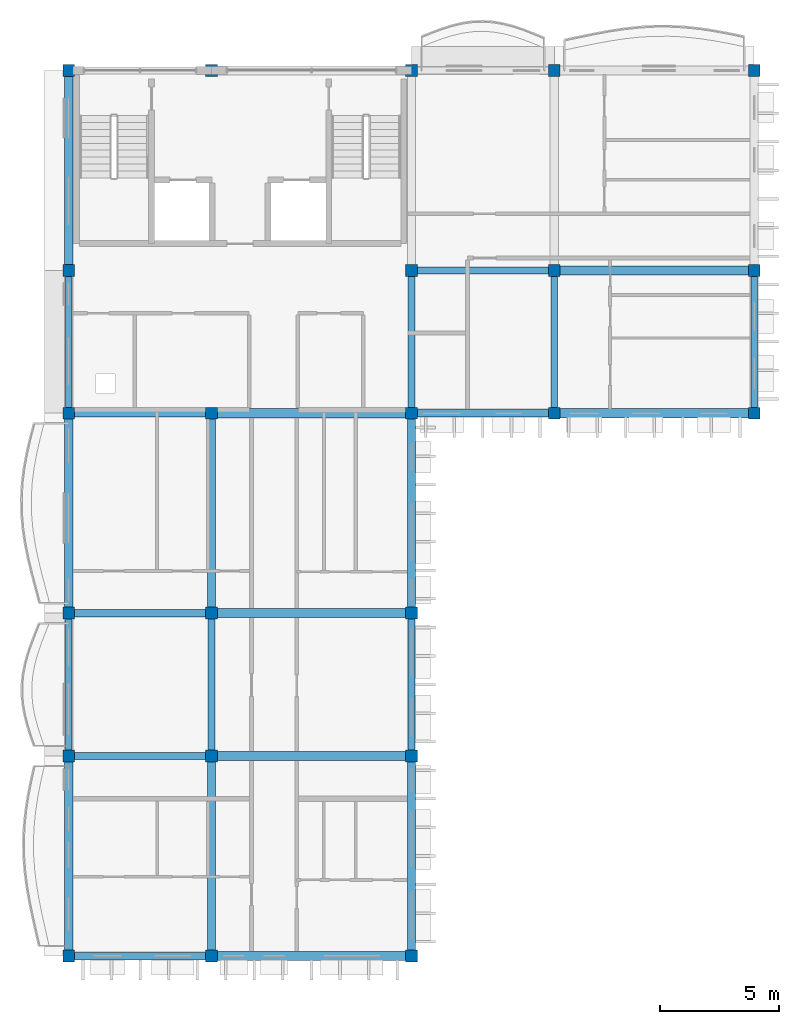
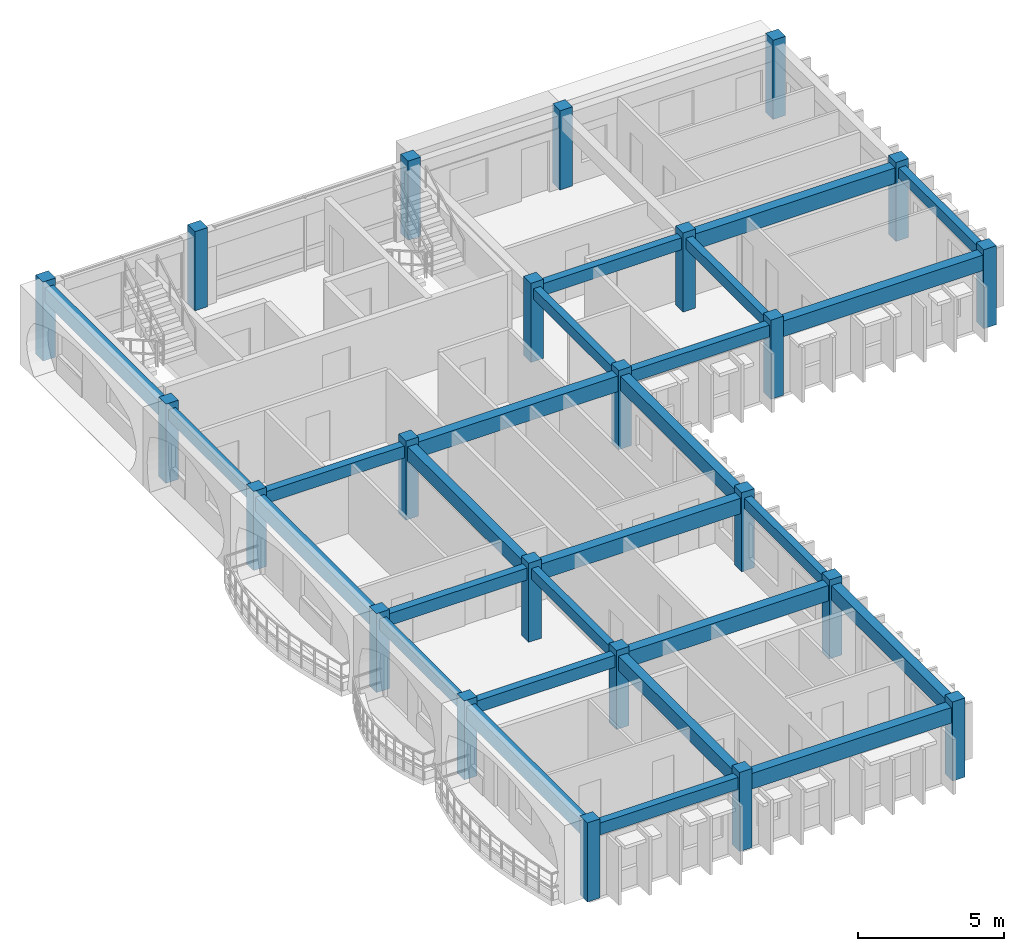
# One storey, part 1 of 11: 26 beams, 23 columns.
"""IFC4 building model written with IfcOpenShell, lengths in metres."""

from ifc_helpers import new_model, si_unit, direction, frame, origin, origin_2d, place, context, subcontext, project, spatial, rectangle, extrude, material, material_profile, profile_set, type_object, element, save


model = new_model("IFC4")

# Units and contexts
model_context = context("Model", 3, precision=1e-05, world=origin(), true_north=direction((0.0, 1.0)))
body_context = subcontext(model_context, "Body", "Model", "MODEL_VIEW")
ifc_project = project(units=[si_unit("LENGTHUNIT", "METRE"), si_unit("AREAUNIT", "SQUARE_METRE"), si_unit("VOLUMEUNIT", "CUBIC_METRE"), si_unit("PLANEANGLEUNIT", "RADIAN"), si_unit("MASSUNIT", "GRAM", prefix="KILO"), si_unit("THERMODYNAMICTEMPERATUREUNIT", "KELVIN")], contexts=[model_context])

# Site, building, storey
site_placement = place(None, origin())
site = spatial("IfcSite", under=ifc_project, at=site_placement, CompositionType="ELEMENT")
building_placement = place(site_placement, origin())
building = spatial("IfcBuilding", under=site, at=building_placement, Name="Thalorik Housing Commons", CompositionType="ELEMENT")
storey_placement = place(building_placement, frame((0.0, 0.0, 47.699951171875)))
storey = spatial("IfcBuildingStorey", under=building, at=storey_placement, Name="L14", CompositionType="ELEMENT", Elevation=47.699951171875)

# Columns
ifc_material = material(Name="Precast concrete C40/50", Category="concrete")
ifc_material_profile_1 = material_profile(ifc_material, rectangle(XDim=0.5, YDim=0.5, at=origin_2d()), Name="PC 500x500", Category="concrete")
ifc_profile_set_1 = profile_set([ifc_material_profile_1], Name="Precast concrete C40/50")
column_type = type_object("IfcColumnType", Name="STR-COL-PC500", PredefinedType="COLUMN", material=ifc_profile_set_1)
for number, where, z_axis, x_axis, name in (
    (1, (8.39990234375, 86.39990234375, 0.0), (0.0, 0.0, 1.0), (1.0, 0.0, 0.0), "L14 Column C-500"),
    (2, (8.39990234375, 94.800048828125, 0.0), (0.0, 0.0, 1.0), (1.0, 0.0, 0.0), "L14 Column C-500"),
    (3, (8.39990234375, 100.800048828125, 0.0), (0.0, 0.0, 1.0), (1.0, 0.0, 0.0), "L14 Column C-500"),
    (4, (8.39990234375, 109.199951171875, 0.0), (0.0, 0.0, 1.0), (1.0, 0.0, 0.0), "L14 Column C-500"),
    (5, (8.39990234375, 115.199951171875, 0.0), (0.0, 0.0, 1.0), (1.0, 0.0, 0.0), "L14 Column C-500"),
    (6, (8.39990234375, 123.60009765625, 0.0), (0.0, 0.0, 1.0), (1.0, 0.0, 0.0), "L14 Column C-500"),
    (7, (14.39990234375, 86.39990234375, 0.0), (0.0, 0.0, 1.0), (1.0, 0.0, 0.0), "L14 Column C-500"),
    (8, (14.39990234375, 94.800048828125, 0.0), (0.0, 0.0, 1.0), (1.0, 0.0, 0.0), "L14 Column C-500"),
    (9, (14.39990234375, 100.800048828125, 0.0), (0.0, 0.0, 1.0), (1.0, 0.0, 0.0), "L14 Column C-500"),
    (10, (14.39990234375, 109.199951171875, 0.0), (0.0, 0.0, 1.0), (1.0, 0.0, 0.0), "L14 Column C-500"),
    (11, (14.39990234375, 123.60009765625, 0.0), (0.0, 0.0, 1.0), (1.0, 0.0, 0.0), "L14 Column C-500"),
    (12, (22.800048828125, 86.39990234375, 0.0), (0.0, 0.0, 1.0), (1.0, 0.0, 0.0), "L14 Column C-500"),
    (13, (22.800048828125, 94.800048828125, 0.0), (0.0, 0.0, 1.0), (1.0, 0.0, 0.0), "L14 Column C-500"),
    (14, (22.800048828125, 100.800048828125, 0.0), (0.0, 0.0, 1.0), (1.0, 0.0, 0.0), "L14 Column C-500"),
    (15, (22.800048828125, 109.199951171875, 0.0), (0.0, 0.0, 1.0), (1.0, 0.0, 0.0), "L14 Column C-500"),
    (16, (22.800048828125, 115.199951171875, 0.0), (0.0, 0.0, 1.0), (1.0, 0.0, 0.0), "L14 Column C-500"),
    (17, (22.800048828125, 123.60009765625, 0.0), (0.0, 0.0, 1.0), (1.0, 0.0, 0.0), "L14 Column C-500"),
    (18, (28.800048828125, 109.199951171875, 0.0), (0.0, 0.0, 1.0), (1.0, 0.0, 0.0), "L14 Column C-500"),
    (19, (28.800048828125, 115.199951171875, 0.0), (0.0, 0.0, 1.0), (1.0, 0.0, 0.0), "L14 Column C-500"),
    (20, (28.800048828125, 123.60009765625, 0.0), (0.0, 0.0, 1.0), (1.0, 0.0, 0.0), "L14 Column C-500"),
    (21, (37.199951171875, 109.199951171875, 0.0), (0.0, 0.0, 1.0), (1.0, 0.0, 0.0), "L14 Column C-500"),
    (22, (37.199951171875, 115.199951171875, 0.0), (0.0, 0.0, 1.0), (1.0, 0.0, 0.0), "L14 Column C-500"),
    (23, (37.199951171875, 123.60009765625, 0.0), (0.0, 0.0, 1.0), (1.0, 0.0, 0.0), "L14 Column C-500"),
):
    element("IfcColumn", number, at=place(storey_placement, frame(where, z_axis=z_axis, x_axis=x_axis)), inside=storey, type_object=column_type, Name=name, PredefinedType="COLUMN", context=body_context, shape_type="SweptSolid", body=[
        extrude(rectangle(XDim=0.5, YDim=0.5, at=origin_2d()), origin(), (0.0, 0.0, 1.0), 3.300048828125),
    ])

# Beams
ifc_material_profile_2 = material_profile(ifc_material, rectangle(XDim=0.280029296875, YDim=0.449951171875, at=origin_2d()), Name="PC 280x450", Category="concrete")
ifc_profile_set_2 = profile_set([ifc_material_profile_2], Name="Precast concrete C40/50")
beam_type_1 = type_object("IfcBeamType", Name="STR-BM-PC280x450", PredefinedType="BEAM", material=ifc_profile_set_2)
for number, where, z_axis, x_axis, name in (
    (24, (8.39990234375, 95.0, 2.81494140625), (0.0, 1.0, 0.0), (-1.0, 0.0, 0.0), "L14 Beam B-450"),
    (25, (8.39990234375, 109.39990234375, 2.81494140625), (0.0, 1.0, 0.0), (-1.0, 0.0, 0.0), "L14 Beam B-450"),
    (26, (14.39990234375, 95.0, 2.81494140625), (0.0, 1.0, 0.0), (-1.0, 0.0, 0.0), "L14 Beam B-450"),
    (27, (22.800048828125, 95.0, 2.81494140625), (0.0, 1.0, 0.0), (-1.0, 0.0, 0.0), "L14 Beam B-450"),
    (28, (22.800048828125, 109.39990234375, 2.81494140625), (0.0, 1.0, 0.0), (-1.0, 0.0, 0.0), "L14 Beam B-450"),
    (29, (28.800048828125, 109.39990234375, 2.81494140625), (0.0, 1.0, 0.0), (-1.0, 0.0, 0.0), "L14 Beam B-450"),
    (30, (37.199951171875, 109.39990234375, 2.81494140625), (0.0, 1.0, 0.0), (-1.0, 0.0, 0.0), "L14 Beam B-450"),
):
    element("IfcBeam", number, at=place(storey_placement, frame(where, z_axis=z_axis, x_axis=x_axis)), inside=storey, type_object=beam_type_1, Name=name, PredefinedType="BEAM", context=body_context, shape_type="SweptSolid", body=[
        extrude(rectangle(XDim=0.280029296875, YDim=0.449951171875, at=origin_2d()), origin(), (0.0, 0.0, 1.0), 5.60009765625),
    ])
ifc_material_profile_3 = material_profile(ifc_material, rectangle(XDim=0.300048828125, YDim=0.5, at=origin_2d()), Name="PC 300x500", Category="concrete")
ifc_profile_set_3 = profile_set([ifc_material_profile_3], Name="Precast concrete C40/50")
beam_type_2 = type_object("IfcBeamType", Name="STR-BM-PC300x500", PredefinedType="BEAM", material=ifc_profile_set_3)
for number, where, z_axis, x_axis, name in (
    (31, (8.60009765625, 86.39990234375, 2.7900390625), (1.0, 0.0, 0.0), (0.0, 1.0, 0.0), "L14 Beam B-500"),
    (32, (8.60009765625, 94.800048828125, 2.7900390625), (1.0, 0.0, 0.0), (0.0, 1.0, 0.0), "L14 Beam B-500"),
    (33, (8.60009765625, 100.800048828125, 2.7900390625), (1.0, 0.0, 0.0), (0.0, 1.0, 0.0), "L14 Beam B-500"),
    (34, (8.60009765625, 109.199951171875, 2.7900390625), (1.0, 0.0, 0.0), (0.0, 1.0, 0.0), "L14 Beam B-500"),
):
    element("IfcBeam", number, at=place(storey_placement, frame(where, z_axis=z_axis, x_axis=x_axis)), inside=storey, type_object=beam_type_2, Name=name, PredefinedType="BEAM", context=body_context, shape_type="SweptSolid", body=[
        extrude(rectangle(XDim=0.300048828125, YDim=0.5, at=origin_2d()), origin(), (0.0, 0.0, 1.0), 5.599853515625),
    ])
for number, where, z_axis, x_axis, name in (
    (35, (23.0, 109.199951171875, 2.7900390625), (1.0, 0.0, 0.0), (0.0, 1.0, 0.0), "L14 Beam B-500"),
    (36, (23.0, 115.199951171875, 2.7900390625), (1.0, 0.0, 0.0), (0.0, 1.0, 0.0), "L14 Beam B-500"),
):
    element("IfcBeam", number, at=place(storey_placement, frame(where, z_axis=z_axis, x_axis=x_axis)), inside=storey, type_object=beam_type_2, Name=name, PredefinedType="BEAM", context=body_context, shape_type="SweptSolid", body=[
        extrude(rectangle(XDim=0.300048828125, YDim=0.5, at=origin_2d()), origin(), (0.0, 0.0, 1.0), 5.60009765625),
    ])
ifc_material_profile_4 = material_profile(ifc_material, rectangle(XDim=0.35009765625, YDim=0.60009765625, at=origin_2d()), Name="PC 350x600", Category="concrete")
ifc_profile_set_4 = profile_set([ifc_material_profile_4], Name="Precast concrete C40/50")
beam_type_3 = type_object("IfcBeamType", Name="STR-BM-PC350x600", PredefinedType="BEAM", material=ifc_profile_set_4)
for number, where, z_axis, x_axis, name in (
    (37, (8.39990234375, 86.60009765625, 2.739990234375), (0.0, 1.0, 0.0), (-1.0, 0.0, 0.0), "L14 Beam B-600"),
    (38, (8.39990234375, 101.0, 2.739990234375), (0.0, 1.0, 0.0), (-1.0, 0.0, 0.0), "L14 Beam B-600"),
    (39, (8.39990234375, 115.39990234375, 2.739990234375), (0.0, 1.0, 0.0), (-1.0, 0.0, 0.0), "L14 Beam B-600"),
    (40, (14.39990234375, 86.60009765625, 2.739990234375), (0.0, 1.0, 0.0), (-1.0, 0.0, 0.0), "L14 Beam B-600"),
    (41, (14.39990234375, 101.0, 2.739990234375), (0.0, 1.0, 0.0), (-1.0, 0.0, 0.0), "L14 Beam B-600"),
    (42, (22.800048828125, 86.60009765625, 2.739990234375), (0.0, 1.0, 0.0), (-1.0, 0.0, 0.0), "L14 Beam B-600"),
    (43, (22.800048828125, 101.0, 2.739990234375), (0.0, 1.0, 0.0), (-1.0, 0.0, 0.0), "L14 Beam B-600"),
):
    element("IfcBeam", number, at=place(storey_placement, frame(where, z_axis=z_axis, x_axis=x_axis)), inside=storey, type_object=beam_type_3, Name=name, PredefinedType="BEAM", context=body_context, shape_type="SweptSolid", body=[
        extrude(rectangle(XDim=0.35009765625, YDim=0.60009765625, at=origin_2d()), origin(), (0.0, 0.0, 1.0), 8.0),
    ])
ifc_material_profile_5 = material_profile(ifc_material, rectangle(XDim=0.3798828125, YDim=0.64990234375, at=origin_2d()), Name="PC 380x650", Category="concrete")
ifc_profile_set_5 = profile_set([ifc_material_profile_5], Name="Precast concrete C40/50")
beam_type_4 = type_object("IfcBeamType", Name="STR-BM-PC380x650", PredefinedType="BEAM", material=ifc_profile_set_5)
for number, where, z_axis, x_axis, name in (
    (44, (14.60009765625, 86.39990234375, 2.715087890625), (1.0, 0.0, 0.0), (0.0, 1.0, 0.0), "L14 Beam B-650"),
    (45, (14.60009765625, 94.800048828125, 2.715087890625), (1.0, 0.0, 0.0), (0.0, 1.0, 0.0), "L14 Beam B-650"),
    (46, (14.60009765625, 100.800048828125, 2.715087890625), (1.0, 0.0, 0.0), (0.0, 1.0, 0.0), "L14 Beam B-650"),
    (47, (14.60009765625, 109.199951171875, 2.715087890625), (1.0, 0.0, 0.0), (0.0, 1.0, 0.0), "L14 Beam B-650"),
    (48, (29.0, 109.199951171875, 2.715087890625), (1.0, 0.0, 0.0), (0.0, 1.0, 0.0), "L14 Beam B-650"),
    (49, (29.0, 115.199951171875, 2.715087890625), (1.0, 0.0, 0.0), (0.0, 1.0, 0.0), "L14 Beam B-650"),
):
    element("IfcBeam", number, at=place(storey_placement, frame(where, z_axis=z_axis, x_axis=x_axis)), inside=storey, type_object=beam_type_4, Name=name, PredefinedType="BEAM", context=body_context, shape_type="SweptSolid", body=[
        extrude(rectangle(XDim=0.3798828125, YDim=0.64990234375, at=origin_2d()), origin(), (0.0, 0.0, 1.0), 8.0),
    ])

save(model, "model.ifc")
